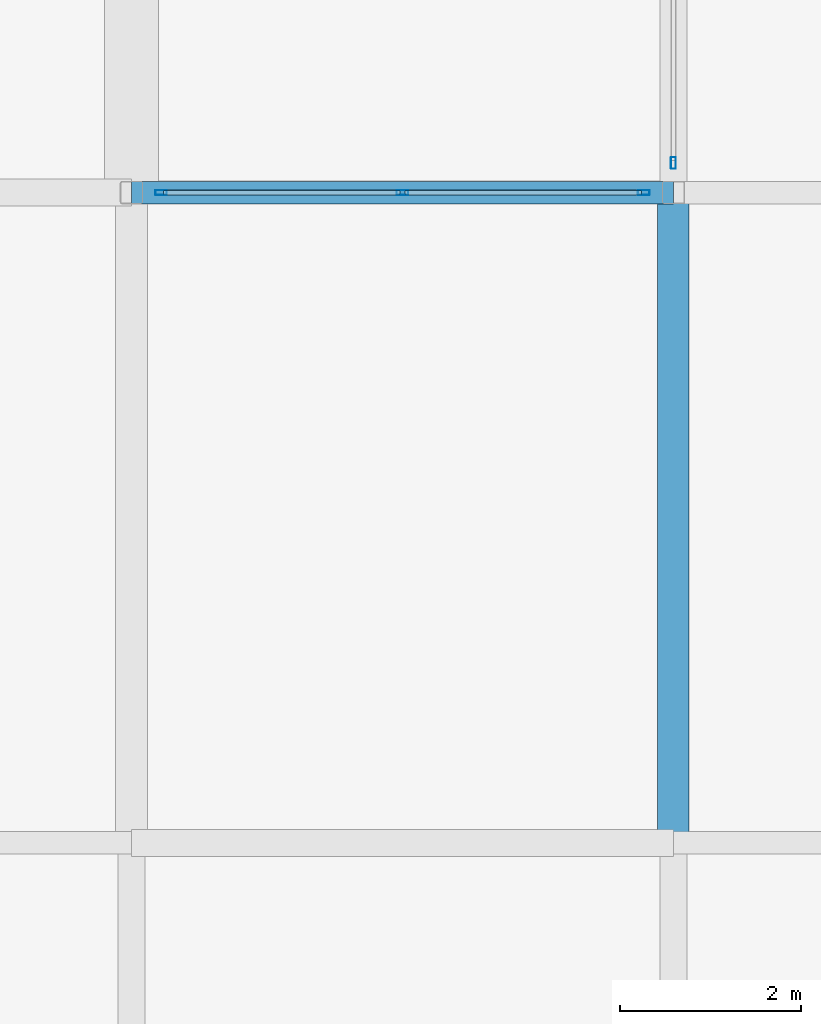
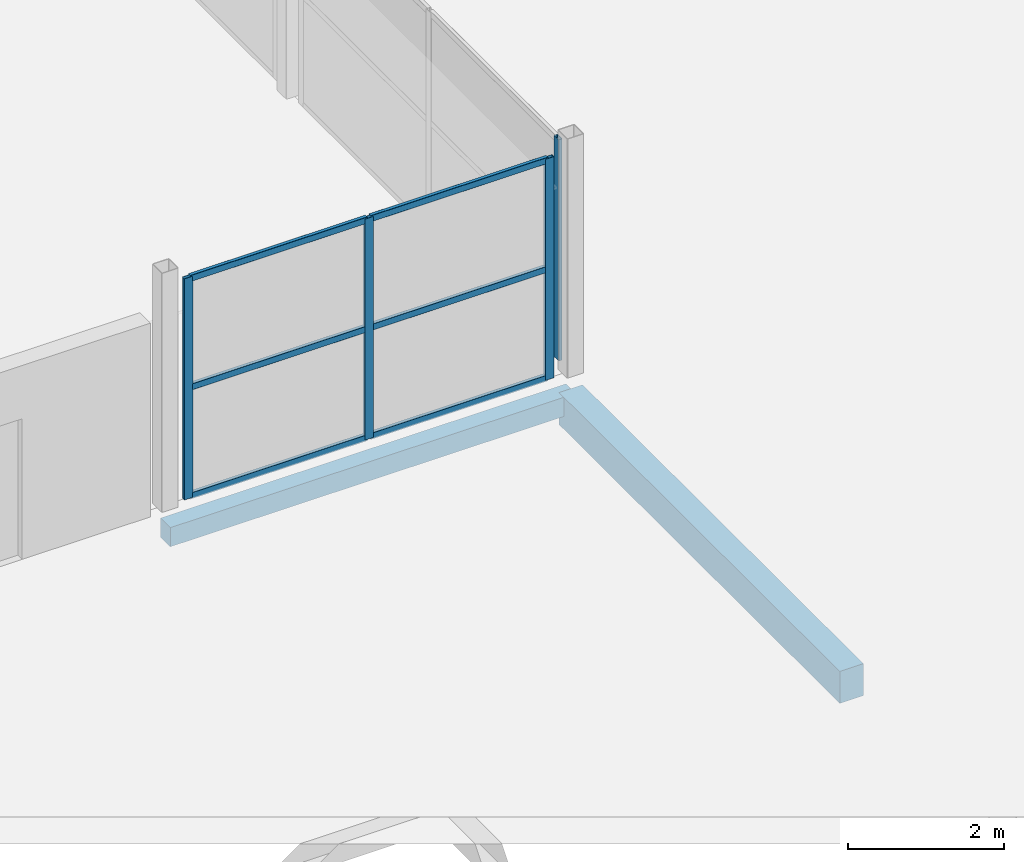
# One storey, part 158 of 239: 10 members, 2 beams, 2 elements without a shape of their own.
"""IFC4 building model written with IfcOpenShell, lengths in metres."""

from ifc_helpers import new_model, si_unit, direction, frame, origin, origin_2d, place, context, subcontext, project, spatial, rectangle, hollow_rectangle, extrude, material, layer, layer_set, material_profile, profile_set, type_object, element, aggregate, save


model = new_model("IFC4")

# Units and contexts
model_context = context("Model", 3, precision=1e-05, world=origin(), true_north=direction((0.0, 1.0)))
body_context = subcontext(model_context, "Body", "Model", "MODEL_VIEW")
ifc_project = project(units=[si_unit("LENGTHUNIT", "METRE"), si_unit("AREAUNIT", "SQUARE_METRE"), si_unit("VOLUMEUNIT", "CUBIC_METRE"), si_unit("PLANEANGLEUNIT", "RADIAN"), si_unit("MASSUNIT", "GRAM", prefix="KILO")], contexts=[model_context])

# Site, building, storey
site_placement = place(None, origin())
site = spatial("IfcSite", under=ifc_project, at=site_placement, CompositionType="ELEMENT")
building_placement = place(site_placement, origin())
building = spatial("IfcBuilding", under=site, at=building_placement, Name="Dunvalen Ferry Terminal", CompositionType="ELEMENT")
storey_placement = place(building_placement, frame((0.0, 0.0, 9.840087890625)))
storey = spatial("IfcBuildingStorey", under=building, at=storey_placement, Name="L02", CompositionType="ELEMENT", Elevation=9.840087890625)

# Curtain wall, members
ifc_material_1 = material(Name="Anodised marine aluminium and solar-control glazing", Category="aluminium")
ifc_layer_1 = layer(ifc_material_1, 0.159912109375, Name="Anodised marine aluminium and solar-control glazing")
ifc_layer_set_1 = layer_set([ifc_layer_1], Name="Anodised marine aluminium and solar-control glazing")
curtain_wall_type_1 = type_object("IfcCurtainWallType", Name="ENV-CW-SYS-09", PredefinedType="NOTDEFINED", material=ifc_layer_set_1)
curtain_wall_1_placement = place(storey_placement, origin())
curtain_wall_1 = element("IfcCurtainWall", 1, at=curtain_wall_1_placement, inside=storey, type_object=curtain_wall_type_1, Name="L02 Curtain Wall CW-PAV-S-7", PredefinedType="NOTDEFINED")
ifc_material_2 = material(Name="Anodised marine aluminium EN AW-6063 T6", Category="aluminium")
ifc_material_profile_1 = material_profile(ifc_material_2, hollow_rectangle(XDim=0.054931640625, YDim=0.1298828125, WallThickness=0.003173828125, InnerFilletRadius=0.003173828125, OuterFilletRadius=0.00634765625, at=origin_2d()), Name="Anodised marine aluminium EN AW-6063 T6")
ifc_profile_set_1 = profile_set([ifc_material_profile_1], Name="Anodised marine aluminium EN AW-6063 T6")
member_type_1 = type_object("IfcMemberType", Name="ENV-CW-MUL-4", PredefinedType="MULLION", material=ifc_profile_set_1)
member_1_placement = place(storey_placement, frame((150.327392578125, 14.39990234375, 0.0), z_axis=(0.0, 0.0, 1.0), x_axis=(0.0, 1.0, 0.0)))
member_1 = element("IfcMember", 2, at=member_1_placement, type_object=member_type_1, Name="CW-09 mullion 1", PredefinedType="MULLION", context=body_context, shape_type="SweptSolid", body=[
    extrude(hollow_rectangle(XDim=0.054931640625, YDim=0.1298828125, WallThickness=0.003173828125, InnerFilletRadius=0.003173828125, OuterFilletRadius=0.00634765625, at=origin_2d()), origin(), (0.0, 0.0, 1.0), 3.4599609375),
])
member_2_placement = place(storey_placement, frame((153.0, 14.39990234375, 0.0), z_axis=(0.0, 0.0, 1.0), x_axis=(0.0, 1.0, 0.0)))
member_2 = element("IfcMember", 3, at=member_2_placement, type_object=member_type_1, Name="CW-09 mullion 2", PredefinedType="MULLION", context=body_context, shape_type="SweptSolid", body=[
    extrude(hollow_rectangle(XDim=0.054931640625, YDim=0.1298828125, WallThickness=0.003173828125, InnerFilletRadius=0.003173828125, OuterFilletRadius=0.00634765625, at=origin_2d()), origin(), (0.0, 0.0, 1.0), 3.4599609375),
])
member_3_placement = place(storey_placement, frame((155.672607421875, 14.39990234375, 0.0), z_axis=(0.0, 0.0, 1.0), x_axis=(0.0, 1.0, 0.0)))
member_3 = element("IfcMember", 4, at=member_3_placement, type_object=member_type_1, Name="CW-09 mullion 3", PredefinedType="MULLION", context=body_context, shape_type="SweptSolid", body=[
    extrude(hollow_rectangle(XDim=0.054931640625, YDim=0.1298828125, WallThickness=0.003173828125, InnerFilletRadius=0.003173828125, OuterFilletRadius=0.00634765625, at=origin_2d()), origin(), (0.0, 0.0, 1.0), 3.4599609375),
])

# Curtain wall, member
ifc_layer_2 = layer(ifc_material_1, 0.159912109375, Name="Anodised marine aluminium and solar-control glazing")
ifc_layer_set_2 = layer_set([ifc_layer_2], Name="Anodised marine aluminium and solar-control glazing")
curtain_wall_type_2 = type_object("IfcCurtainWallType", Name="ENV-CW-SYS-10", PredefinedType="NOTDEFINED", material=ifc_layer_set_2)
curtain_wall_2_placement = place(storey_placement, origin())
curtain_wall_2 = element("IfcCurtainWall", 5, at=curtain_wall_2_placement, inside=storey, type_object=curtain_wall_type_2, Name="L02 Curtain Wall CW-PAV-E-1", PredefinedType="NOTDEFINED")
member_4_placement = place(storey_placement, frame((156.0, 14.7275390625, 0.0), z_axis=(0.0, 0.0, 1.0), x_axis=(-1.0, 0.0, 0.0)))
member_4 = element("IfcMember", 6, at=member_4_placement, type_object=member_type_1, Name="CW-10 mullion 1", PredefinedType="MULLION", context=body_context, shape_type="SweptSolid", body=[
    extrude(hollow_rectangle(XDim=0.054931640625, YDim=0.1298828125, WallThickness=0.003173828125, InnerFilletRadius=0.003173828125, OuterFilletRadius=0.00634765625, at=origin_2d()), origin(), (0.0, 0.0, 1.0), 3.4599609375),
])
aggregate(curtain_wall_2, [member_4])

# Member
ifc_material_profile_2 = material_profile(ifc_material_2, hollow_rectangle(XDim=0.054931640625, YDim=0.10009765625, WallThickness=0.0029296875, InnerFilletRadius=0.0029296875, OuterFilletRadius=0.006103515625, at=origin_2d()), Name="Anodised marine aluminium EN AW-6063 T6")
ifc_profile_set_2 = profile_set([ifc_material_profile_2], Name="Anodised marine aluminium EN AW-6063 T6")
member_type_2 = type_object("IfcMemberType", Name="ENV-CW-TRN-4", PredefinedType="USERDEFINED", material=ifc_profile_set_2)
member_5_placement = place(storey_placement, frame((150.35498046875, 14.39990234375, 0.02734375), z_axis=(1.0, 0.0, 0.0), x_axis=(0.0, 1.0, 0.0)))
member_5 = element("IfcMember", 7, at=member_5_placement, type_object=member_type_2, Name="CW-09 transom 1.1", ObjectType="TRANSOM", PredefinedType="USERDEFINED", context=body_context, shape_type="SweptSolid", body=[
    extrude(hollow_rectangle(XDim=0.054931640625, YDim=0.10009765625, WallThickness=0.0029296875, InnerFilletRadius=0.0029296875, OuterFilletRadius=0.006103515625, at=origin_2d()), origin(), (0.0, 0.0, 1.0), 2.617431640625),
])

member_6_placement = place(storey_placement, frame((150.35498046875, 14.39990234375, 1.72998046875), z_axis=(1.0, 0.0, 0.0), x_axis=(0.0, 1.0, 0.0)))
member_6 = element("IfcMember", 8, at=member_6_placement, type_object=member_type_2, Name="CW-09 transom 1.2", ObjectType="TRANSOM", PredefinedType="USERDEFINED", context=body_context, shape_type="SweptSolid", body=[
    extrude(hollow_rectangle(XDim=0.054931640625, YDim=0.10009765625, WallThickness=0.0029296875, InnerFilletRadius=0.0029296875, OuterFilletRadius=0.006103515625, at=origin_2d()), origin(), (0.0, 0.0, 1.0), 2.617431640625),
])

member_7_placement = place(storey_placement, frame((150.35498046875, 14.39990234375, 3.432373046875), z_axis=(1.0, 0.0, 0.0), x_axis=(0.0, 1.0, 0.0)))
member_7 = element("IfcMember", 9, at=member_7_placement, type_object=member_type_2, Name="CW-09 transom 1.3", ObjectType="TRANSOM", PredefinedType="USERDEFINED", context=body_context, shape_type="SweptSolid", body=[
    extrude(hollow_rectangle(XDim=0.054931640625, YDim=0.10009765625, WallThickness=0.0029296875, InnerFilletRadius=0.0029296875, OuterFilletRadius=0.006103515625, at=origin_2d()), origin(), (0.0, 0.0, 1.0), 2.617431640625),
])

member_8_placement = place(storey_placement, frame((153.027587890625, 14.39990234375, 0.02734375), z_axis=(1.0, 0.0, 0.0), x_axis=(0.0, 1.0, 0.0)))
member_8 = element("IfcMember", 10, at=member_8_placement, type_object=member_type_2, Name="CW-09 transom 2.1", ObjectType="TRANSOM", PredefinedType="USERDEFINED", context=body_context, shape_type="SweptSolid", body=[
    extrude(hollow_rectangle(XDim=0.054931640625, YDim=0.10009765625, WallThickness=0.0029296875, InnerFilletRadius=0.0029296875, OuterFilletRadius=0.006103515625, at=origin_2d()), origin(), (0.0, 0.0, 1.0), 2.617431640625),
])

member_9_placement = place(storey_placement, frame((153.027587890625, 14.39990234375, 1.72998046875), z_axis=(1.0, 0.0, 0.0), x_axis=(0.0, 1.0, 0.0)))
member_9 = element("IfcMember", 11, at=member_9_placement, type_object=member_type_2, Name="CW-09 transom 2.2", ObjectType="TRANSOM", PredefinedType="USERDEFINED", context=body_context, shape_type="SweptSolid", body=[
    extrude(hollow_rectangle(XDim=0.054931640625, YDim=0.10009765625, WallThickness=0.0029296875, InnerFilletRadius=0.0029296875, OuterFilletRadius=0.006103515625, at=origin_2d()), origin(), (0.0, 0.0, 1.0), 2.617431640625),
])

member_10_placement = place(storey_placement, frame((153.027587890625, 14.39990234375, 3.432373046875), z_axis=(1.0, 0.0, 0.0), x_axis=(0.0, 1.0, 0.0)))
member_10 = element("IfcMember", 12, at=member_10_placement, type_object=member_type_2, Name="CW-09 transom 2.3", ObjectType="TRANSOM", PredefinedType="USERDEFINED", context=body_context, shape_type="SweptSolid", body=[
    extrude(hollow_rectangle(XDim=0.054931640625, YDim=0.10009765625, WallThickness=0.0029296875, InnerFilletRadius=0.0029296875, OuterFilletRadius=0.006103515625, at=origin_2d()), origin(), (0.0, 0.0, 1.0), 2.617431640625),
])

aggregate(curtain_wall_1, [member_1, member_2, member_3, member_5, member_6, member_7, member_8, member_9, member_10])

# Beams
ifc_material_3 = material(Name="Concrete C35/45", Category="concrete")
ifc_material_profile_3 = material_profile(ifc_material_3, rectangle(XDim=0.35009765625, YDim=0.5, at=origin_2d()), Name="Concrete C35/45")
ifc_profile_set_3 = profile_set([ifc_material_profile_3], Name="Concrete C35/45")
beam_type_1 = type_object("IfcBeamType", Name="STR-BM-RCB500W", PredefinedType="JOIST", material=ifc_profile_set_3)
beam_1_placement = place(storey_placement, frame((156.0, 7.199951171875, -0.530029296875), z_axis=(0.0, 1.0, 0.0), x_axis=(-1.0, 0.0, 0.0)))
element("IfcBeam", 13, at=beam_1_placement, inside=storey, type_object=beam_type_1, Name="L02 V4 Primary Girder Y-109", PredefinedType="JOIST", context=body_context, shape_type="SweptSolid", body=[
    extrude(rectangle(XDim=0.35009765625, YDim=0.5, at=origin_2d()), origin(), (0.0, 0.0, 1.0), 7.199951171875),
])
ifc_material_profile_4 = material_profile(ifc_material_3, rectangle(XDim=0.25, YDim=0.300048828125, at=origin_2d()), Name="Concrete C35/45")
ifc_profile_set_4 = profile_set([ifc_material_profile_4], Name="Concrete C35/45")
beam_type_2 = type_object("IfcBeamType", Name="STR-BM-RCL300", PredefinedType="LINTEL", material=ifc_profile_set_4)
beam_2_placement = place(storey_placement, frame((150.0, 14.39990234375, -0.43017578125), z_axis=(1.0, 0.0, 0.0), x_axis=(0.0, 1.0, 0.0)))
element("IfcBeam", 14, at=beam_2_placement, inside=storey, type_object=beam_type_2, Name="L02 V4 Primary Beam X-025", PredefinedType="LINTEL", context=body_context, shape_type="SweptSolid", body=[
    extrude(rectangle(XDim=0.25, YDim=0.300048828125, at=origin_2d()), origin(), (0.0, 0.0, 1.0), 6.0),
])

save(model, "model.ifc")
